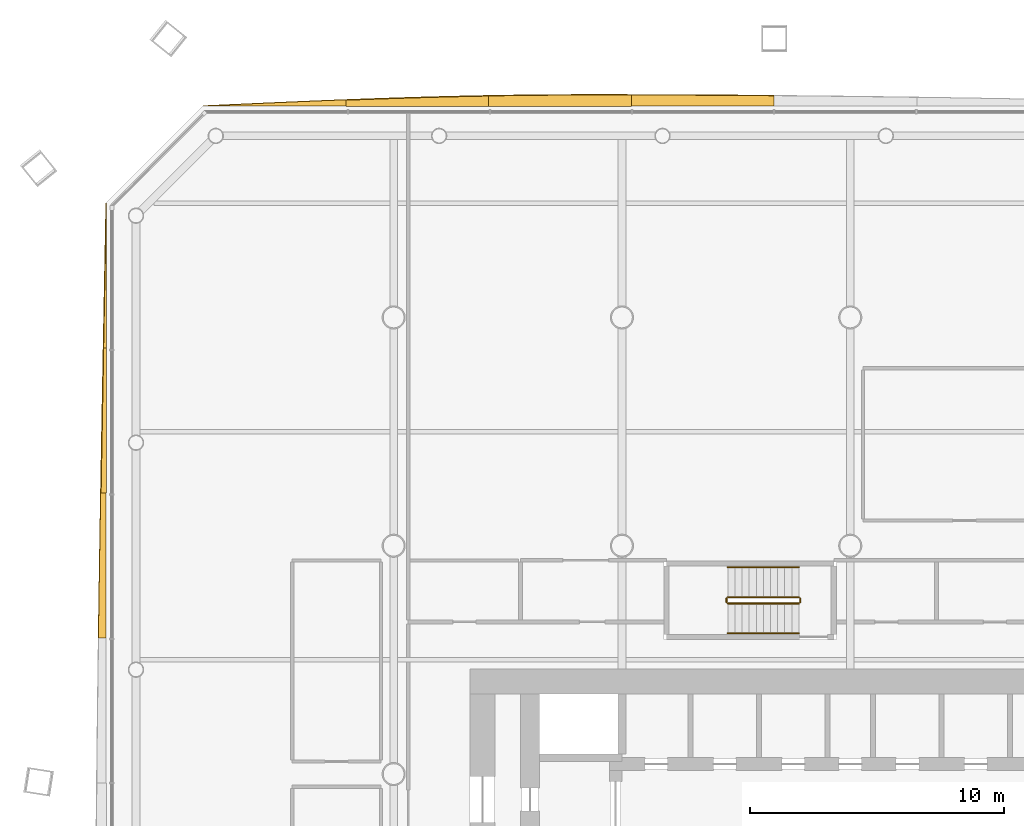
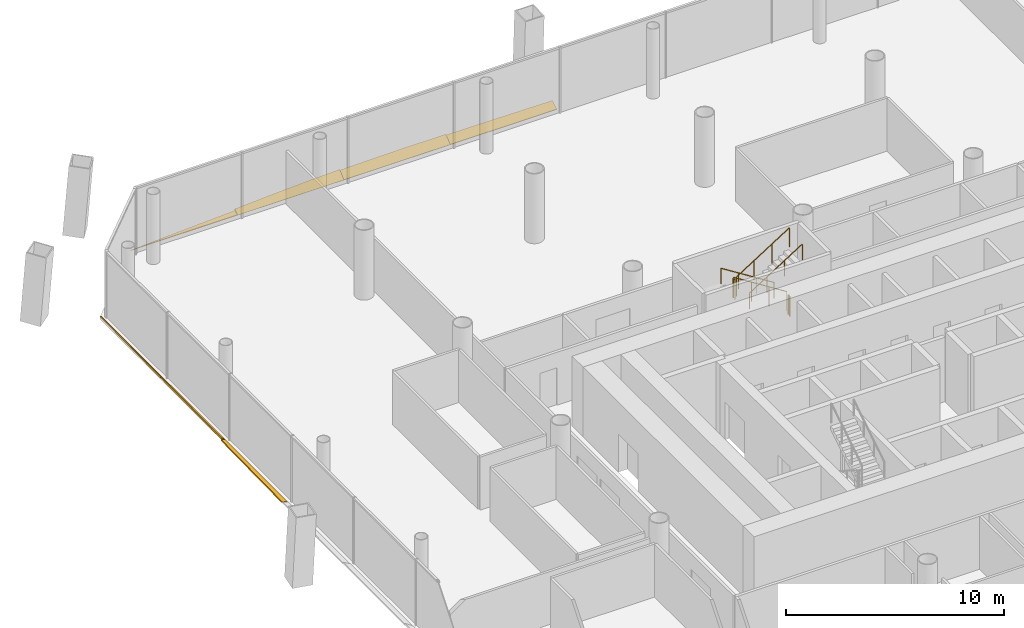
# One storey, part 19 of 20: 7 shading devices, 6 railings.
"""IFC4 building model written with IfcOpenShell, lengths in metres."""

from ifc_helpers import new_model, si_unit, direction, frame, origin, origin_2d, place, context, subcontext, project, spatial, polyline, circle, outline, extrude, material, layer, layer_set, type_object, element, save


model = new_model("IFC4")

# Units and contexts
model_context = context("Model", 3, precision=1e-05, world=origin(), true_north=direction((0.0, 1.0)))
body_context = subcontext(model_context, "Body", "Model", "MODEL_VIEW")
ifc_project = project(units=[si_unit("LENGTHUNIT", "METRE"), si_unit("AREAUNIT", "SQUARE_METRE"), si_unit("VOLUMEUNIT", "CUBIC_METRE"), si_unit("PLANEANGLEUNIT", "RADIAN"), si_unit("MASSUNIT", "GRAM", prefix="KILO")], contexts=[model_context])

# Site, building, storey
site_placement = place(None, origin())
site = spatial("IfcSite", under=ifc_project, at=site_placement, CompositionType="ELEMENT")
building_placement = place(site_placement, origin())
building = spatial("IfcBuilding", under=site, at=building_placement, Name="Tskaro Facet Tower", CompositionType="ELEMENT")
storey_placement = place(building_placement, frame((0.0, 0.0, 49.800048828125)))
storey = spatial("IfcBuildingStorey", under=building, at=storey_placement, Name="L11", CompositionType="ELEMENT", Elevation=49.800048828125)

# Shading devices
ifc_material_1 = material(Name="Bronze anodised aluminium 6063-T6", Category="aluminium")
ifc_layer = layer(ifc_material_1, 0.06005859375, Name="Bronze anodised aluminium 6063-T6")
ifc_layer_set = layer_set([ifc_layer], Name="Bronze anodised aluminium 6063-T6")
shading_device_type = type_object("IfcShadingDeviceType", Name="Bronze sun blade (FN1)", PredefinedType="USERDEFINED", material=ifc_layer_set)
shading_device_1_placement = place(storey_placement, frame((-3.0, 26.326904296875, 0.052001953125), z_axis=(-1.3186529e-05, -0.499772158882, 0.86615690786), x_axis=(-0.999999999913, 6.59026e-06, -1.1421603e-05)))
element("IfcShadingDevice", 1, at=shading_device_1_placement, inside=storey, type_object=shading_device_type, Name="Fin blade north 5", ObjectType="FIN", PredefinedType="USERDEFINED", context=body_context, shape_type="SweptSolid", body=[
    extrude(outline(polyline([(0.0, 0.0), (5.627197265135759, 4.766421484683684e-21), (5.627197266165299, -0.5101333342968679), (4.923828125492709, -0.5081650269259586), (4.2204589827817465, -0.5054403126012578), (3.5170898424298374, -0.5020486407243793), (2.8137207028280335, -0.49777854720647163), (2.110107423780777, -0.4931749749124752), (1.4067382817111758, -0.487603531575836), (0.7033691392121517, -0.48148714537425674), (-9.278180924152865e-10, -0.47470380162049963), (0.0, 0.0)])), origin(), (0.0, 0.0, -1.0), 0.06005859375),
])
shading_device_2_placement = place(storey_placement, frame((-8.627197265625, 26.322509765625, 0.049072265625), z_axis=(2.495517e-06, -0.573534777103, 0.819181212826), x_axis=(-0.999999999997, -1.431266e-06, 2.044281e-06)))
element("IfcShadingDevice", 2, at=shading_device_2_placement, inside=storey, type_object=shading_device_type, Name="Fin blade north 6", ObjectType="FIN", PredefinedType="USERDEFINED", context=body_context, shape_type="SweptSolid", body=[
    extrude(outline(polyline([(0.0, 0.0), (5.627197265607478, 0.0), (5.627197265547772, -0.4967993570963353), (4.923828125121442, -0.511159923658185), (4.220458984346341, -0.5227403695278494), (3.5170898437215588, -0.5316807178442701), (2.813720703097434, -0.5376409500552171), (2.1103515626236278, -0.5409610847129205), (1.6657714843002438, -0.5415010986784385), (1.4069824218010496, -0.5415010986784385), (0.7033691406033469, -0.5406210661606907), (-1.1901832270405656e-10, -0.5394010150907129), (0.0, 0.0)])), origin(), (0.0, 0.0, -1.0), 0.06005859375),
])
shading_device_3_placement = place(storey_placement, frame((-14.25439453125, 26.318359375, 0.0458984375), z_axis=(-3.03208e-07, -0.64277239621, 0.766057208484), x_axis=(-1.0, 1.94894e-07, -2.32275e-07)))
element("IfcShadingDevice", 3, at=shading_device_3_placement, inside=storey, type_object=shading_device_type, Name="Fin blade north 7", ObjectType="FIN", PredefinedType="USERDEFINED", context=body_context, shape_type="SweptSolid", body=[
    extrude(outline(polyline([(0.0, 0.0), (5.6274414062497415, 1.4895713374490069e-22), (5.6274414062241425, -0.3178123858609423), (4.923828125009283, -0.35213457682168037), (4.220458984369892, -0.38436295371004564), (3.5170898437761315, -0.41487156789736834), (2.813720703141965, -0.4429424154721098), (2.1103515624582667, -0.46891944897447846), (1.4069824218951599, -0.49233188784084414), (0.7036132812440656, -0.5131195344089634), (-1.5726713122137317e-11, -0.531312487509958), (0.0, 0.0)])), origin(), (0.0, 0.0, -1.0), 0.06005859375),
])
shading_device_4_placement = place(storey_placement, frame((-19.8818359375, 26.33642578125, 0.056396484375), z_axis=(-1.2244077e-05, -0.341880977606, 0.939743261216), x_axis=(-0.999999999925, 4.186017e-06, -1.1506289e-05)))
element("IfcShadingDevice", 4, at=shading_device_4_placement, inside=storey, type_object=shading_device_type, Name="Fin blade north 8", ObjectType="FIN", PredefinedType="USERDEFINED", context=body_context, shape_type="SweptSolid", body=[
    extrude(outline(polyline([(0.0, 0.0), (5.6271972652031925, 0.0), (4.923828124692533, -0.034291112650428245), (4.2204589859690484, -0.06826932875815188), (3.5168457027894537, -0.10210158239427995), (2.8134765627872147, -0.13507861343784872), (2.110107420741022, -0.16759678546711732), (1.4067382812472045, -0.19925973490382665), (0.7033691394526551, -0.229692069769231), (-8.114963560151929e-10, -0.25903975253492595), (0.0, 0.0)])), origin(), (0.0, 0.0, -1.0), 0.06005859375),
])
shading_device_5_placement = place(storey_placement, frame((-29.322509765625, 22.509033203125, 0.049072265625), z_axis=(0.573126757871, 2.3447137e-05, 0.819466728344), x_axis=(1.3438182e-05, -0.999999999725, 1.9214149e-05)))
element("IfcShadingDevice", 5, at=shading_device_5_placement, inside=storey, type_object=shading_device_type, Name="Fin blade west 1", ObjectType="FIN", PredefinedType="USERDEFINED", context=body_context, shape_type="SweptSolid", body=[
    extrude(outline(polyline([(0.0, 0.0), (5.716796873428543, 0.0), (5.716796876587067, -0.13356516025876597), (5.002197264905616, -0.11710456122692711), (4.287597653224166, -0.10064396219508823), (3.5729980448235206, -0.08398329804396981), (2.858398436422876, -0.0673226338928514), (2.143798828022231, -0.05066196974173298), (1.429199218211438, -0.0336613169464257), (0.7145996098107931, -0.01700065279530729), (0.0, 0.0)])), origin(), (0.0, 0.0, -1.0), 0.06005859375),
])
shading_device_6_placement = place(storey_placement, frame((-29.318359375, 16.792236328125, 0.0458984375), z_axis=(0.642706772045, -2.174706e-06, 0.766112266683), x_axis=(-1.397698e-06, -0.999999999998, -1.666069e-06)))
element("IfcShadingDevice", 6, at=shading_device_6_placement, inside=storey, type_object=shading_device_type, Name="Fin blade west 2", ObjectType="FIN", PredefinedType="USERDEFINED", context=body_context, shape_type="SweptSolid", body=[
    extrude(outline(polyline([(0.0, 0.0), (5.717041015611481, 1.2106305252596406e-21), (5.717041015620158, -0.2769249991629288), (5.0024414059275815, -0.26079574866808036), (4.287841796982994, -0.24469662646782137), (3.573242187355937, -0.22822342601234508), (2.858642578135636, -0.21159331472384957), (2.1440429689808544, -0.19461925347472617), (1.429443359484838, -0.17745815309799415), (0.7145996093638224, -0.1602970527212621), (-6.667384999102605e-11, -0.1427920023839022), (0.0, 0.0)])), origin(), (0.0, 0.0, -1.0), 0.06005859375),
])
shading_device_7_placement = place(storey_placement, frame((-29.33642578125, 11.0751953125, 0.056396484375), z_axis=(0.341747524067, -8.238092e-06, 0.939791801266), x_axis=(-2.815348e-06, -0.999999999966, -7.742092e-06)))
element("IfcShadingDevice", 7, at=shading_device_7_placement, inside=storey, type_object=shading_device_type, Name="Fin blade west 3", ObjectType="FIN", PredefinedType="USERDEFINED", context=body_context, shape_type="SweptSolid", body=[
    extrude(outline(polyline([(0.0, 0.0), (5.716796874806011, 2.421157652942712e-21), (5.71679687499039, -0.3208221467074709), (5.002197265123714, -0.30993409287063556), (4.287597656459856, -0.2987331632219409), (3.572998046421317, -0.2870733508577688), (2.858398438272937, -0.2753301040394761), (2.143798827547057, -0.2634408503175653), (1.429199219226814, -0.2509258449719359), (0.7145996090164117, -0.23849427408042703), (-6.785129197753218e-10, -0.22552038601932017), (0.0, 0.0)])), origin(), (0.0, 0.0, -1.0), 0.06005859375),
])

# Railings
ifc_material_2 = material(Name="Stainless steel", Category="steel")
railing_type_1 = type_object("IfcRailingType", Name="RL-GUARD-1100", PredefinedType="GUARDRAIL", material=ifc_material_2)
railing_1_placement = place(storey_placement, frame((-2.02490234375, 6.97509765625, 0.17724609375)))
element("IfcRailing", 8, at=railing_1_placement, inside=storey, type_object=railing_type_1, Name="L11 ST-3 stair guard 1", PredefinedType="GUARDRAIL", context=body_context, shape_type="SweptSolid", body=[
    extrude(circle(Radius=0.02392578125, at=origin_2d()), frame((0.0, 0.0, 1.076171875), z_axis=(-0.844908973607, 0.0, 0.534910110503), x_axis=(0.0, -1.0, 0.0)), (0.0, 0.0, 1.0), 3.31396484375),
    extrude(circle(Radius=0.02099609375, at=origin_2d()), origin(), (0.0, 0.0, 1.0), 1.052001953125),
    extrude(circle(Radius=0.02099609375, at=origin_2d()), frame((-0.933349609375, 0.0, 0.5908203125)), (0.0, 0.0, 1.0), 1.052001953125),
    extrude(circle(Radius=0.02099609375, at=origin_2d()), frame((-1.86669921875, 0.0, 1.181884765625)), (0.0, 0.0, 1.0), 1.052001953125),
    extrude(circle(Radius=0.02099609375, at=origin_2d()), frame((-2.800048828125, 0.0, 1.772705078125)), (0.0, 0.0, 1.0), 1.052001953125),
])
railing_2_placement = place(storey_placement, frame((-4.875, 6.925048828125, 1.949951171875)))
element("IfcRailing", 9, at=railing_2_placement, inside=storey, type_object=railing_type_1, Name="L11 ST-3 stair guard 2", PredefinedType="GUARDRAIL", context=body_context, shape_type="SweptSolid", body=[
    extrude(circle(Radius=0.02392578125, at=origin_2d()), frame((0.0, 0.0, 1.076171875), z_axis=(0.0, -1.0, 0.0), x_axis=(1.0, 0.0, 0.0)), (0.0, 0.0, 1.0), 0.150146484375),
    extrude(circle(Radius=0.02099609375, at=origin_2d()), origin(), (0.0, 0.0, 1.0), 1.052001953125),
    extrude(circle(Radius=0.02099609375, at=origin_2d()), frame((0.0, -0.150146484375, 0.0)), (0.0, 0.0, 1.0), 1.052001953125),
])
railing_3_placement = place(storey_placement, frame((-4.824951171875, 6.72509765625, 2.127197265625)))
element("IfcRailing", 10, at=railing_3_placement, inside=storey, type_object=railing_type_1, Name="L11 ST-3 stair guard 3", PredefinedType="GUARDRAIL", context=body_context, shape_type="SweptSolid", body=[
    extrude(circle(Radius=0.02392578125, at=origin_2d()), frame((0.0, 0.0, 1.076171875), z_axis=(0.844908973607, 0.0, 0.534910110503), x_axis=(0.0, 1.0, 0.0)), (0.0, 0.0, 1.0), 3.31396484375),
    extrude(circle(Radius=0.02099609375, at=origin_2d()), origin(), (0.0, 0.0, 1.0), 1.052001953125),
    extrude(circle(Radius=0.02099609375, at=origin_2d()), frame((0.933349609375, 0.0, 0.5908203125)), (0.0, 0.0, 1.0), 1.052001953125),
    extrude(circle(Radius=0.02099609375, at=origin_2d()), frame((1.86669921875, 0.0, 1.181884765625)), (0.0, 0.0, 1.0), 1.052001953125),
    extrude(circle(Radius=0.02099609375, at=origin_2d()), frame((2.800048828125, 0.0, 1.772705078125)), (0.0, 0.0, 1.0), 1.052001953125),
])
railing_4_placement = place(storey_placement, frame((-1.97509765625, 6.925048828125, 0.0)))
element("IfcRailing", 11, at=railing_4_placement, inside=storey, type_object=railing_type_1, Name="L11 ST-3 stair guard 4", PredefinedType="GUARDRAIL", context=body_context, shape_type="SweptSolid", body=[
    extrude(circle(Radius=0.02392578125, at=origin_2d()), frame((0.0, 0.0, 1.076171875), z_axis=(0.0, -1.0, 0.0), x_axis=(1.0, 0.0, 0.0)), (0.0, 0.0, 1.0), 0.150146484375),
    extrude(circle(Radius=0.02099609375, at=origin_2d()), origin(), (0.0, 0.0, 1.0), 1.052001953125),
    extrude(circle(Radius=0.02099609375, at=origin_2d()), frame((0.0, -0.150146484375, 0.0)), (0.0, 0.0, 1.0), 1.052001953125),
])
railing_type_2 = type_object("IfcRailingType", Name="RL-HANDRAIL-900", PredefinedType="HANDRAIL", material=ifc_material_2)
railing_5_placement = place(storey_placement, frame((-2.02490234375, 8.14990234375, 0.17724609375)))
element("IfcRailing", 12, at=railing_5_placement, inside=storey, type_object=railing_type_2, Name="L11 ST-3 stair handrail 1", PredefinedType="HANDRAIL", context=body_context, shape_type="SweptSolid", body=[
    extrude(circle(Radius=0.02392578125, at=origin_2d()), frame((0.0, 0.0, 0.8759765625), z_axis=(-0.844908973607, 0.0, 0.534910110503), x_axis=(0.0, -1.0, 0.0)), (0.0, 0.0, 1.0), 3.31396484375),
    extrude(circle(Radius=0.02099609375, at=origin_2d()), origin(), (0.0, 0.0, 1.0), 0.851806640625),
    extrude(circle(Radius=0.02099609375, at=origin_2d()), frame((-0.933349609375, 0.0, 0.5908203125)), (0.0, 0.0, 1.0), 0.851806640625),
    extrude(circle(Radius=0.02099609375, at=origin_2d()), frame((-1.86669921875, 0.0, 1.181884765625)), (0.0, 0.0, 1.0), 0.851806640625),
    extrude(circle(Radius=0.02099609375, at=origin_2d()), frame((-2.800048828125, 0.0, 1.772705078125)), (0.0, 0.0, 1.0), 0.851806640625),
])
railing_6_placement = place(storey_placement, frame((-4.824951171875, 5.550048828125, 2.127197265625)))
element("IfcRailing", 13, at=railing_6_placement, inside=storey, type_object=railing_type_2, Name="L11 ST-3 stair handrail 2", PredefinedType="HANDRAIL", context=body_context, shape_type="SweptSolid", body=[
    extrude(circle(Radius=0.02392578125, at=origin_2d()), frame((0.0, 0.0, 0.8759765625), z_axis=(0.844908973607, 0.0, 0.534910110503), x_axis=(0.0, 1.0, 0.0)), (0.0, 0.0, 1.0), 3.31396484375),
    extrude(circle(Radius=0.02099609375, at=origin_2d()), origin(), (0.0, 0.0, 1.0), 0.851806640625),
    extrude(circle(Radius=0.02099609375, at=origin_2d()), frame((0.933349609375, 0.0, 0.5908203125)), (0.0, 0.0, 1.0), 0.851806640625),
    extrude(circle(Radius=0.02099609375, at=origin_2d()), frame((1.86669921875, 0.0, 1.181884765625)), (0.0, 0.0, 1.0), 0.851806640625),
    extrude(circle(Radius=0.02099609375, at=origin_2d()), frame((2.800048828125, 0.0, 1.772705078125)), (0.0, 0.0, 1.0), 0.851806640625),
])

save(model, "model.ifc")
